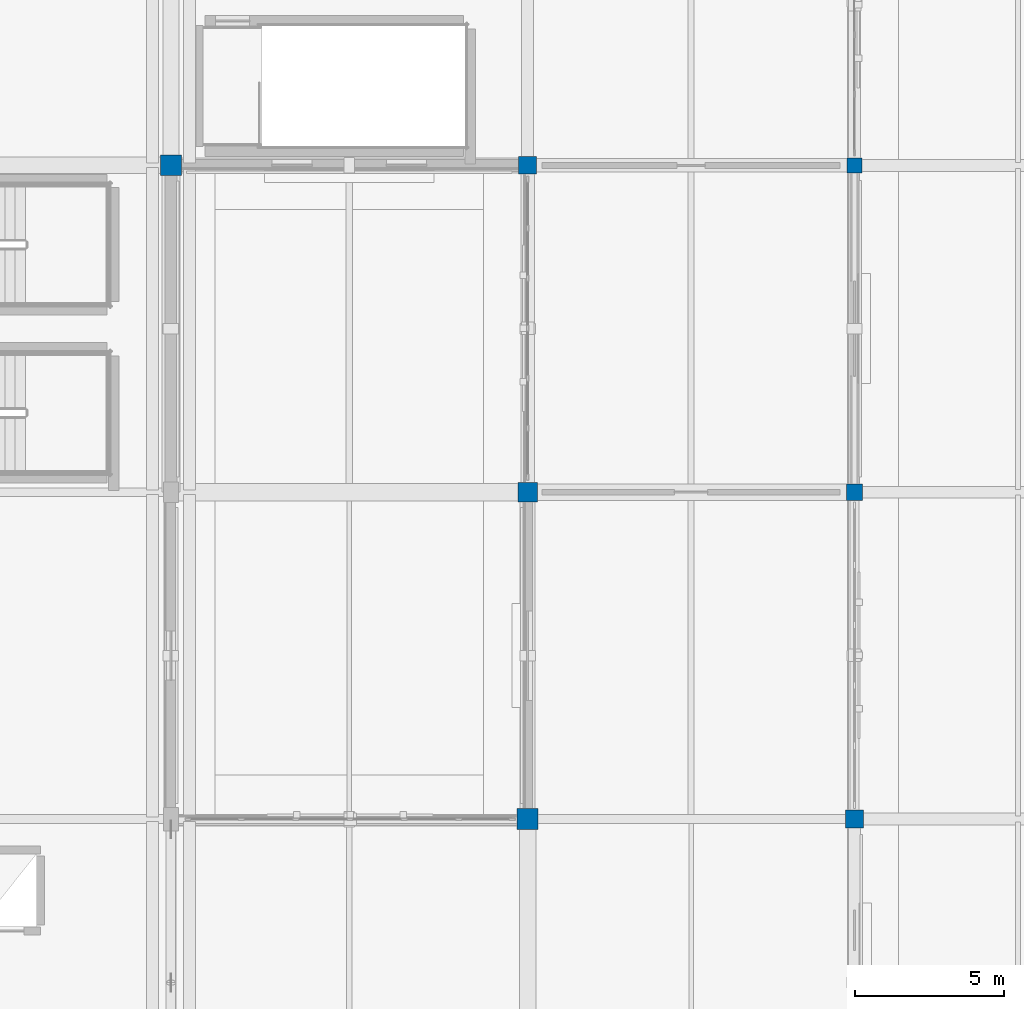
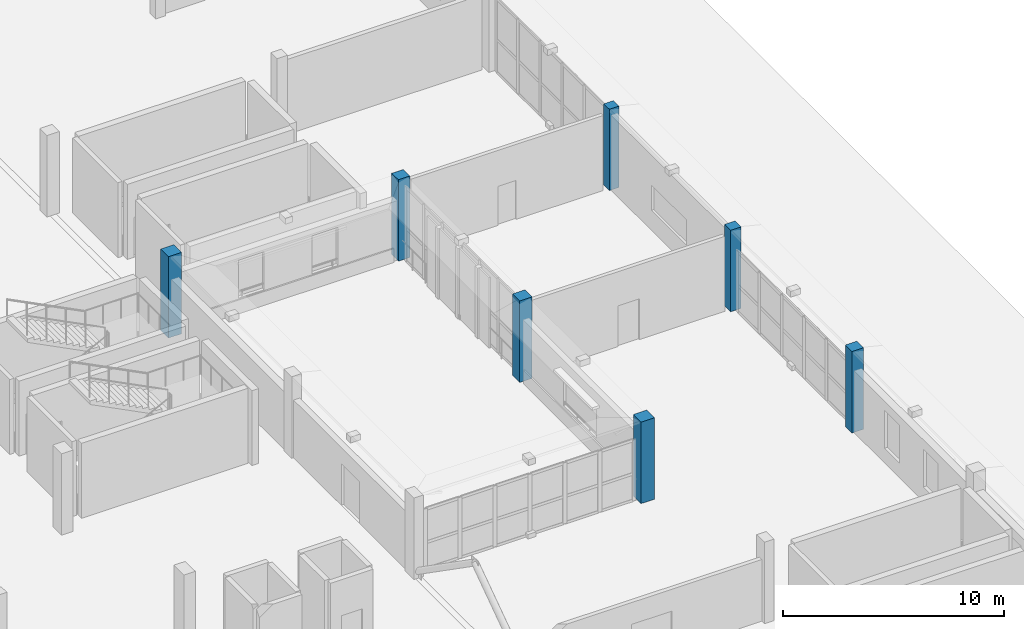
# One storey, part 18 of 118: 7 columns.
"""IFC4 building model written with IfcOpenShell, lengths in metres."""

from ifc_helpers import new_model, si_unit, direction, frame, origin, origin_2d, place, context, subcontext, project, spatial, rectangle, extrude, material, material_profile, profile_set, type_object, element, save


model = new_model("IFC4")

# Units and contexts
model_context = context("Model", 3, precision=1e-05, world=origin(), true_north=direction((0.0, 1.0)))
body_context = subcontext(model_context, "Body", "Model", "MODEL_VIEW")
ifc_project = project(units=[si_unit("LENGTHUNIT", "METRE"), si_unit("AREAUNIT", "SQUARE_METRE"), si_unit("VOLUMEUNIT", "CUBIC_METRE"), si_unit("PLANEANGLEUNIT", "RADIAN"), si_unit("MASSUNIT", "GRAM", prefix="KILO")], contexts=[model_context])

# Site, building, storey
site_placement = place(None, origin())
site = spatial("IfcSite", under=ifc_project, at=site_placement, CompositionType="ELEMENT")
building_placement = place(site_placement, origin())
building = spatial("IfcBuilding", under=site, at=building_placement, Name="Luwafu Chhajja Arena", CompositionType="ELEMENT")
storey_placement = place(building_placement, frame((0.0, 0.0, 10.199951171875)))
storey = spatial("IfcBuildingStorey", under=building, at=storey_placement, Name="L02", CompositionType="ELEMENT", Elevation=10.199951171875)

# Columns
ifc_material = material(Name="Concrete C35/45", Category="concrete")
ifc_material_profile_1 = material_profile(ifc_material, rectangle(XDim=0.550048828125, YDim=0.550048828125, at=origin_2d()), Name="RC 550x550")
ifc_profile_set_1 = profile_set([ifc_material_profile_1], Name="Concrete C35/45")
column_type_1 = type_object("IfcColumnType", Name="Gallery Column RC 550", PredefinedType="COLUMN", material=ifc_profile_set_1)
column_1_placement = place(storey_placement, frame((187.0, 44.0, 0.0), z_axis=(0.0, 0.0, 1.0), x_axis=(1.0, 0.0, 0.0)))
element("IfcColumn", 1, at=column_1_placement, inside=storey, type_object=column_type_1, Name="L02 Grid Column 17/E", PredefinedType="COLUMN", context=body_context, shape_type="SweptSolid", body=[
    extrude(rectangle(XDim=0.550048828125, YDim=0.550048828125, at=origin_2d()), origin(), (0.0, 0.0, 1.0), 4.5),
])
ifc_material_profile_2 = material_profile(ifc_material, rectangle(XDim=0.60009765625, YDim=0.60009765625, at=origin_2d()), Name="RC 600x600")
ifc_profile_set_2 = profile_set([ifc_material_profile_2], Name="Concrete C35/45")
column_type_2 = type_object("IfcColumnType", Name="Mezzanine Column RC 600", PredefinedType="COLUMN", material=ifc_profile_set_2)
for number, where, z_axis, x_axis, name in (
    (2, (176.0, 55.0, 0.0), (0.0, 0.0, 1.0), (1.0, 0.0, 0.0), "L02 Grid Column 16/F"),
    (3, (187.0, 33.0, 0.0), (0.0, 0.0, 1.0), (1.0, 0.0, 0.0), "L02 Grid Column 17/D"),
):
    element("IfcColumn", number, at=place(storey_placement, frame(where, z_axis=z_axis, x_axis=x_axis)), inside=storey, type_object=column_type_2, Name=name, PredefinedType="COLUMN", context=body_context, shape_type="SweptSolid", body=[
        extrude(rectangle(XDim=0.60009765625, YDim=0.60009765625, at=origin_2d()), origin(), (0.0, 0.0, 1.0), 4.5),
    ])
ifc_material_profile_3 = material_profile(ifc_material, rectangle(XDim=0.5, YDim=0.5, at=origin_2d()), Name="RC 500x500")
ifc_profile_set_3 = profile_set([ifc_material_profile_3], Name="Concrete C35/45")
column_type_3 = type_object("IfcColumnType", Name="Pavilion Column RC 500", PredefinedType="COLUMN", material=ifc_profile_set_3)
column_2_placement = place(storey_placement, frame((187.0, 55.0, 0.0), z_axis=(0.0, 0.0, 1.0), x_axis=(1.0, 0.0, 0.0)))
element("IfcColumn", 4, at=column_2_placement, inside=storey, type_object=column_type_3, Name="L02 Grid Column 17/F", PredefinedType="COLUMN", context=body_context, shape_type="SweptSolid", body=[
    extrude(rectangle(XDim=0.5, YDim=0.5, at=origin_2d()), origin(), (0.0, 0.0, 1.0), 4.5),
])
ifc_material_profile_4 = material_profile(ifc_material, rectangle(XDim=0.64990234375, YDim=0.64990234375, at=origin_2d()), Name="RC 650x650")
ifc_profile_set_4 = profile_set([ifc_material_profile_4], Name="Concrete C35/45")
column_type_4 = type_object("IfcColumnType", Name="Upper Wing Column RC 650", PredefinedType="COLUMN", material=ifc_profile_set_4)
column_3_placement = place(storey_placement, frame((176.0, 44.0, 0.0), z_axis=(0.0, 0.0, 1.0), x_axis=(1.0, 0.0, 0.0)))
element("IfcColumn", 5, at=column_3_placement, inside=storey, type_object=column_type_4, Name="L02 Grid Column 16/E", PredefinedType="COLUMN", context=body_context, shape_type="SweptSolid", body=[
    extrude(rectangle(XDim=0.64990234375, YDim=0.64990234375, at=origin_2d()), origin(), (0.0, 0.0, 1.0), 4.5),
])
ifc_material_profile_5 = material_profile(ifc_material, rectangle(XDim=0.699951171875, YDim=0.699951171875, at=origin_2d()), Name="RC 700x700")
ifc_profile_set_5 = profile_set([ifc_material_profile_5], Name="Concrete C35/45")
column_type_5 = type_object("IfcColumnType", Name="Wing Frame Column RC 700", PredefinedType="COLUMN", material=ifc_profile_set_5)
for number, where, z_axis, x_axis, name in (
    (6, (164.0, 55.0, 0.0), (0.0, 0.0, 1.0), (1.0, 0.0, 0.0), "L02 Grid Column 15/F"),
    (7, (176.0, 33.0, 0.0), (0.0, 0.0, 1.0), (1.0, 0.0, 0.0), "L02 Grid Column 16/D"),
):
    element("IfcColumn", number, at=place(storey_placement, frame(where, z_axis=z_axis, x_axis=x_axis)), inside=storey, type_object=column_type_5, Name=name, PredefinedType="COLUMN", context=body_context, shape_type="SweptSolid", body=[
        extrude(rectangle(XDim=0.699951171875, YDim=0.699951171875, at=origin_2d()), origin(), (0.0, 0.0, 1.0), 4.5),
    ])

save(model, "model.ifc")
